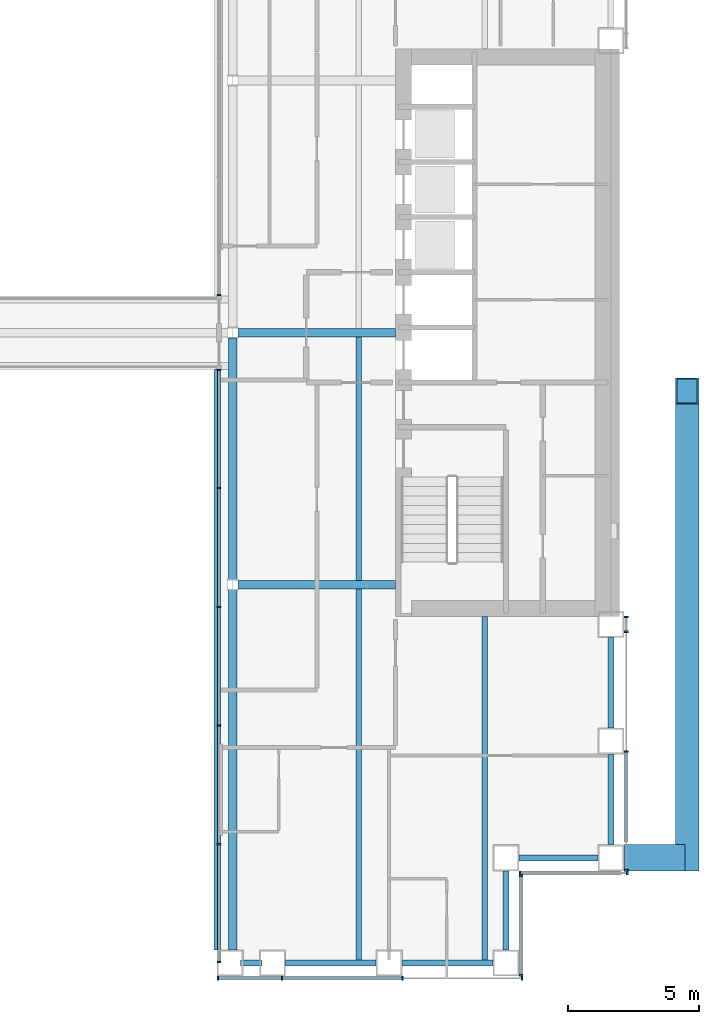
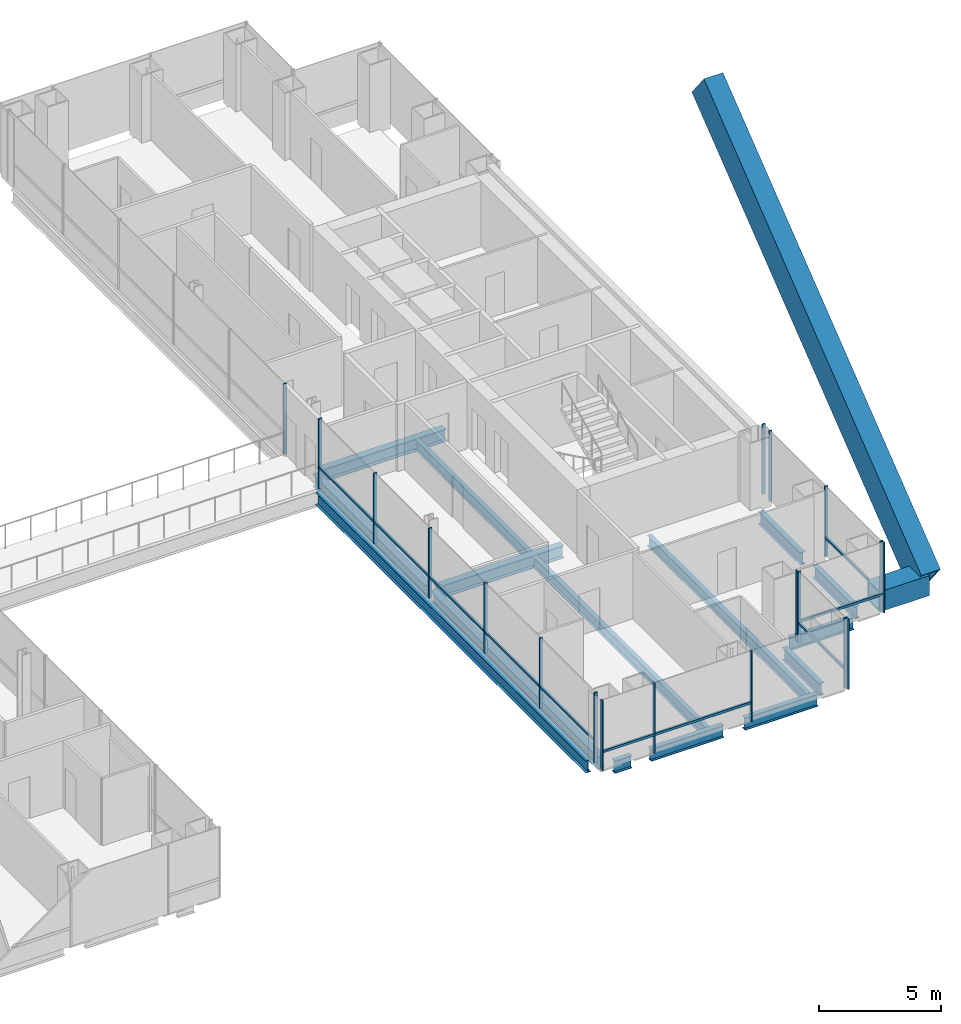
# One storey, part 4 of 19: 30 members, 16 beams, 6 elements without a shape of their own.
"""IFC4 building model written with IfcOpenShell, lengths in metres."""

from ifc_helpers import new_model, si_unit, direction, frame, origin, origin_2d, place, context, subcontext, project, spatial, rectangle, hollow_rectangle, i_section, extrude, material, material_profile, profile_set, type_object, element, aggregate, save


model = new_model("IFC4")

# Units and contexts
model_context = context("Model", 3, precision=1e-05, world=origin(), true_north=direction((0.0, 1.0)))
body_context = subcontext(model_context, "Body", "Model", "MODEL_VIEW")
ifc_project = project(units=[si_unit("LENGTHUNIT", "METRE"), si_unit("AREAUNIT", "SQUARE_METRE"), si_unit("VOLUMEUNIT", "CUBIC_METRE"), si_unit("PLANEANGLEUNIT", "RADIAN"), si_unit("MASSUNIT", "GRAM", prefix="KILO")], contexts=[model_context])

# Site, building, storey
site_placement = place(None, origin())
site = spatial("IfcSite", under=ifc_project, at=site_placement, CompositionType="ELEMENT")
building_placement = place(site_placement, origin())
building = spatial("IfcBuilding", under=site, at=building_placement, Name="Cobrizo Arcos Hotel Tower", CompositionType="ELEMENT")
storey_placement = place(building_placement, frame((0.0, 0.0, 70.5)))
storey = spatial("IfcBuildingStorey", under=building, at=storey_placement, Name="L16", CompositionType="ELEMENT", Elevation=70.5)

# Beam
ifc_material_1 = material(Name="Steel ASTM A572 Grade 50", Category="steel")
ifc_material_profile_1 = material_profile(ifc_material_1, hollow_rectangle(XDim=1.0, YDim=1.0, WallThickness=0.06005859375, at=origin_2d()), Name="BOX 1000X1000X60")
ifc_profile_set_1 = profile_set([ifc_material_profile_1], Name="Steel ASTM A572 Grade 50")
beam_type_1 = type_object("IfcBeamType", Name="BOX 1000X1000X60 brace connector strut", PredefinedType="BEAM", material=ifc_profile_set_1)
beam_1_placement = place(storey_placement, frame((24.489990234375, -20.0, 0.5), z_axis=(1.0, 0.0, 0.0), x_axis=(0.0, 1.0, 0.0)))
element("IfcBeam", 1, at=beam_1_placement, inside=storey, type_object=beam_type_1, Name="Perimeter brace stub BS1, zone Z1, east face, offset -20.00 m, L16", PredefinedType="BEAM", context=body_context, shape_type="SweptSolid", body=[
    extrude(hollow_rectangle(XDim=1.0, YDim=1.0, WallThickness=0.06005859375, at=origin_2d()), origin(), (0.0, 0.0, 1.0), 2.330078125),
])

# Member
ifc_material_profile_2 = material_profile(ifc_material_1, hollow_rectangle(XDim=0.89990234375, YDim=1.60009765625, WallThickness=0.070068359375, at=origin_2d()), Name="BOX 900X1600X70")
ifc_profile_set_2 = profile_set([ifc_material_profile_2], Name="Steel ASTM A572 Grade 50")
member_type_1 = type_object("IfcMemberType", Name="BOX 900X1600X70 perimeter brace", PredefinedType="BRACE", material=ifc_profile_set_2)
member_1_placement = place(storey_placement, frame((26.89990234375, -20.0, 0.5), z_axis=(0.0, 0.785637232407, 0.618687432437), x_axis=(-1.0, 0.0, 0.0)))
element("IfcMember", 2, at=member_1_placement, inside=storey, type_object=member_type_1, Name="Perimeter brace PBR1, zone Z1, east face, no. 05", PredefinedType="BRACE", context=body_context, shape_type="SweptSolid", body=[
    extrude(hollow_rectangle(XDim=0.89990234375, YDim=1.60009765625, WallThickness=0.070068359375, at=origin_2d()), origin(), (0.0, 0.0, 1.0), 22.628662109375),
])

# Curtain wall, members
ifc_material_2 = material(Name="Aluminium 6063-T6 anodised bronze", Category="aluminium")
curtain_wall_type_1 = type_object("IfcCurtainWallType", Name="CW-A guest facade", PredefinedType="NOTDEFINED", material=ifc_material_2)
curtain_wall_1_placement = place(storey_placement, origin())
curtain_wall_1 = element("IfcCurtainWall", 3, at=curtain_wall_1_placement, inside=storey, type_object=curtain_wall_type_1, Name="CW-A L16 S face", PredefinedType="NOTDEFINED")
ifc_material_profile_3 = material_profile(ifc_material_2, rectangle(XDim=0.14990234375, YDim=0.06005859375, at=origin_2d()), Name="CW-A mullion 150x60")
ifc_profile_set_3 = profile_set([ifc_material_profile_3], Name="Aluminium 6063-T6 anodised bronze")
member_type_2 = type_object("IfcMemberType", Name="CW-A mullion 150x60", PredefinedType="MULLION", material=ifc_profile_set_3)
member_2_placement = place(storey_placement, frame((9.030029296875, -24.574951171875, 0.0), z_axis=(0.0, 0.0, 1.0), x_axis=(0.0, -1.0, 0.0)))
member_2 = element("IfcMember", 4, at=member_2_placement, type_object=member_type_2, Name="CW-A mullion 1", PredefinedType="MULLION", context=body_context, shape_type="SweptSolid", body=[
    extrude(rectangle(XDim=0.14990234375, YDim=0.06005859375, at=origin_2d()), origin(), (0.0, 0.0, 1.0), 3.5),
])
member_3_placement = place(storey_placement, frame((11.47216796875, -24.574951171875, 0.0), z_axis=(0.0, 0.0, 1.0), x_axis=(0.0, -1.0, 0.0)))
member_3 = element("IfcMember", 5, at=member_3_placement, type_object=member_type_2, Name="CW-A mullion 2", PredefinedType="MULLION", context=body_context, shape_type="SweptSolid", body=[
    extrude(rectangle(XDim=0.14990234375, YDim=0.06005859375, at=origin_2d()), origin(), (0.0, 0.0, 1.0), 3.5),
])
member_4_placement = place(storey_placement, frame((16.06103515625, -24.574951171875, 0.0), z_axis=(0.0, 0.0, 1.0), x_axis=(0.0, -1.0, 0.0)))
member_4 = element("IfcMember", 6, at=member_4_placement, type_object=member_type_2, Name="CW-A mullion 3", PredefinedType="MULLION", context=body_context, shape_type="SweptSolid", body=[
    extrude(rectangle(XDim=0.14990234375, YDim=0.06005859375, at=origin_2d()), origin(), (0.0, 0.0, 1.0), 3.5),
])
member_5_placement = place(storey_placement, frame((20.6201171875, -24.574951171875, 0.0), z_axis=(0.0, 0.0, 1.0), x_axis=(0.0, -1.0, 0.0)))
member_5 = element("IfcMember", 7, at=member_5_placement, type_object=member_type_2, Name="CW-A mullion 4", PredefinedType="MULLION", context=body_context, shape_type="SweptSolid", body=[
    extrude(rectangle(XDim=0.14990234375, YDim=0.06005859375, at=origin_2d()), origin(), (0.0, 0.0, 1.0), 3.5),
])

curtain_wall_2_placement = place(storey_placement, origin())
curtain_wall_2 = element("IfcCurtainWall", 8, at=curtain_wall_2_placement, inside=storey, type_object=curtain_wall_type_1, Name="CW-A L16 E face", PredefinedType="NOTDEFINED")
member_6_placement = place(storey_placement, frame((20.574951171875, -24.469970703125, 0.0), z_axis=(0.0, 0.0, 1.0), x_axis=(1.0, 0.0, 0.0)))
member_6 = element("IfcMember", 9, at=member_6_placement, type_object=member_type_2, Name="CW-A mullion 1", PredefinedType="MULLION", context=body_context, shape_type="SweptSolid", body=[
    extrude(rectangle(XDim=0.14990234375, YDim=0.06005859375, at=origin_2d()), origin(), (0.0, 0.0, 1.0), 3.5),
])
member_7_placement = place(storey_placement, frame((20.574951171875, -20.679931640625, 0.0), z_axis=(0.0, 0.0, 1.0), x_axis=(1.0, 0.0, 0.0)))
member_7 = element("IfcMember", 10, at=member_7_placement, type_object=member_type_2, Name="CW-A mullion 2", PredefinedType="MULLION", context=body_context, shape_type="SweptSolid", body=[
    extrude(rectangle(XDim=0.14990234375, YDim=0.06005859375, at=origin_2d()), origin(), (0.0, 0.0, 1.0), 3.5),
])

curtain_wall_3_placement = place(storey_placement, origin())
curtain_wall_3 = element("IfcCurtainWall", 11, at=curtain_wall_3_placement, inside=storey, type_object=curtain_wall_type_1, Name="CW-A L16 S face", PredefinedType="NOTDEFINED")
member_8_placement = place(storey_placement, frame((20.530029296875, -20.574951171875, 0.0), z_axis=(0.0, 0.0, 1.0), x_axis=(0.0, -1.0, 0.0)))
member_8 = element("IfcMember", 12, at=member_8_placement, type_object=member_type_2, Name="CW-A mullion 1", PredefinedType="MULLION", context=body_context, shape_type="SweptSolid", body=[
    extrude(rectangle(XDim=0.14990234375, YDim=0.06005859375, at=origin_2d()), origin(), (0.0, 0.0, 1.0), 3.5),
])
member_9_placement = place(storey_placement, frame((24.6201171875, -20.574951171875, 0.0), z_axis=(0.0, 0.0, 1.0), x_axis=(0.0, -1.0, 0.0)))
member_9 = element("IfcMember", 13, at=member_9_placement, type_object=member_type_2, Name="CW-A mullion 2", PredefinedType="MULLION", context=body_context, shape_type="SweptSolid", body=[
    extrude(rectangle(XDim=0.14990234375, YDim=0.06005859375, at=origin_2d()), origin(), (0.0, 0.0, 1.0), 3.5),
])

curtain_wall_4_placement = place(storey_placement, origin())
curtain_wall_4 = element("IfcCurtainWall", 14, at=curtain_wall_4_placement, inside=storey, type_object=curtain_wall_type_1, Name="CW-A L16 E face", PredefinedType="NOTDEFINED")
member_10_placement = place(storey_placement, frame((24.574951171875, -20.469970703125, 0.0), z_axis=(0.0, 0.0, 1.0), x_axis=(1.0, 0.0, 0.0)))
member_10 = element("IfcMember", 15, at=member_10_placement, type_object=member_type_2, Name="CW-A mullion 1", PredefinedType="MULLION", context=body_context, shape_type="SweptSolid", body=[
    extrude(rectangle(XDim=0.14990234375, YDim=0.06005859375, at=origin_2d()), origin(), (0.0, 0.0, 1.0), 3.5),
])
member_11_placement = place(storey_placement, frame((24.574951171875, -15.9443359375, 0.0), z_axis=(0.0, 0.0, 1.0), x_axis=(1.0, 0.0, 0.0)))
member_11 = element("IfcMember", 16, at=member_11_placement, type_object=member_type_2, Name="CW-A mullion 2", PredefinedType="MULLION", context=body_context, shape_type="SweptSolid", body=[
    extrude(rectangle(XDim=0.14990234375, YDim=0.06005859375, at=origin_2d()), origin(), (0.0, 0.0, 1.0), 3.5),
])
member_12_placement = place(storey_placement, frame((24.574951171875, -11.388916015625, 0.0), z_axis=(0.0, 0.0, 1.0), x_axis=(1.0, 0.0, 0.0)))
member_12 = element("IfcMember", 17, at=member_12_placement, type_object=member_type_2, Name="CW-A mullion 3", PredefinedType="MULLION", context=body_context, shape_type="SweptSolid", body=[
    extrude(rectangle(XDim=0.14990234375, YDim=0.06005859375, at=origin_2d()), origin(), (0.0, 0.0, 1.0), 3.5),
])
member_13_placement = place(storey_placement, frame((24.574951171875, -10.830078125, 0.0), z_axis=(0.0, 0.0, 1.0), x_axis=(1.0, 0.0, 0.0)))
member_13 = element("IfcMember", 18, at=member_13_placement, type_object=member_type_2, Name="CW-A mullion 4", PredefinedType="MULLION", context=body_context, shape_type="SweptSolid", body=[
    extrude(rectangle(XDim=0.14990234375, YDim=0.06005859375, at=origin_2d()), origin(), (0.0, 0.0, 1.0), 3.5),
])

# Member
ifc_material_profile_4 = material_profile(ifc_material_2, rectangle(XDim=0.10009765625, YDim=0.1201171875, at=origin_2d()), Name="CW-A transom 120x100")
ifc_profile_set_4 = profile_set([ifc_material_profile_4], Name="Aluminium 6063-T6 anodised bronze")
member_type_3 = type_object("IfcMemberType", Name="CW-A transom 120x100", PredefinedType="USERDEFINED", material=ifc_profile_set_4)
member_14_placement = place(storey_placement, frame((9.06005859375, -24.574951171875, 0.929931640625), z_axis=(1.0, 0.0, 0.0), x_axis=(0.0, 1.0, 0.0)))
member_14 = element("IfcMember", 19, at=member_14_placement, type_object=member_type_3, Name="CW-A transom 688", ObjectType="TRANSOM", PredefinedType="USERDEFINED", context=body_context, shape_type="SweptSolid", body=[
    extrude(rectangle(XDim=0.10009765625, YDim=0.1201171875, at=origin_2d()), origin(), (0.0, 0.0, 1.0), 2.382080078125),
])

member_15_placement = place(storey_placement, frame((11.502197265625, -24.574951171875, 0.929931640625), z_axis=(1.0, 0.0, 0.0), x_axis=(0.0, 1.0, 0.0)))
member_15 = element("IfcMember", 20, at=member_15_placement, type_object=member_type_3, Name="CW-A transom 689", ObjectType="TRANSOM", PredefinedType="USERDEFINED", context=body_context, shape_type="SweptSolid", body=[
    extrude(rectangle(XDim=0.10009765625, YDim=0.1201171875, at=origin_2d()), origin(), (0.0, 0.0, 1.0), 4.52880859375),
])

aggregate(curtain_wall_1, [member_2, member_3, member_4, member_5, member_14, member_15])

member_16_placement = place(storey_placement, frame((20.574951171875, -24.43994140625, 0.929931640625), z_axis=(0.0, 1.0, 0.0), x_axis=(-1.0, 0.0, 0.0)))
member_16 = element("IfcMember", 21, at=member_16_placement, type_object=member_type_3, Name="CW-A transom 691", ObjectType="TRANSOM", PredefinedType="USERDEFINED", context=body_context, shape_type="SweptSolid", body=[
    extrude(rectangle(XDim=0.10009765625, YDim=0.1201171875, at=origin_2d()), origin(), (0.0, 0.0, 1.0), 3.72998046875),
])

aggregate(curtain_wall_2, [member_6, member_7, member_16])

member_17_placement = place(storey_placement, frame((20.56005859375, -20.574951171875, 0.929931640625), z_axis=(1.0, 0.0, 0.0), x_axis=(0.0, 1.0, 0.0)))
member_17 = element("IfcMember", 22, at=member_17_placement, type_object=member_type_3, Name="CW-A transom 692", ObjectType="TRANSOM", PredefinedType="USERDEFINED", context=body_context, shape_type="SweptSolid", body=[
    extrude(rectangle(XDim=0.10009765625, YDim=0.1201171875, at=origin_2d()), origin(), (0.0, 0.0, 1.0), 3.829833984375),
])

aggregate(curtain_wall_3, [member_8, member_9, member_17])

member_18_placement = place(storey_placement, frame((24.574951171875, -19.39990234375, 0.929931640625), z_axis=(0.0, 1.0, 0.0), x_axis=(-1.0, 0.0, 0.0)))
member_18 = element("IfcMember", 23, at=member_18_placement, type_object=member_type_3, Name="CW-A transom 693", ObjectType="TRANSOM", PredefinedType="USERDEFINED", context=body_context, shape_type="SweptSolid", body=[
    extrude(rectangle(XDim=0.10009765625, YDim=0.1201171875, at=origin_2d()), origin(), (0.0, 0.0, 1.0), 3.425537109375),
])

aggregate(curtain_wall_4, [member_10, member_11, member_12, member_13, member_18])

# Curtain wall, members
curtain_wall_type_2 = type_object("IfcCurtainWallType", Name="CW-F void screen", PredefinedType="NOTDEFINED", material=ifc_material_2)
curtain_wall_5_placement = place(storey_placement, origin())
curtain_wall_5 = element("IfcCurtainWall", 24, at=curtain_wall_5_placement, inside=storey, type_object=curtain_wall_type_2, Name="CW-F L16 void screen A", PredefinedType="NOTDEFINED")
ifc_material_profile_5 = material_profile(ifc_material_2, rectangle(XDim=0.14990234375, YDim=0.06005859375, at=origin_2d()), Name="CW-F mullion 150x60")
ifc_profile_set_5 = profile_set([ifc_material_profile_5], Name="Aluminium 6063-T6 anodised bronze")
member_type_4 = type_object("IfcMemberType", Name="CW-F mullion 150x60", PredefinedType="MULLION", material=ifc_profile_set_5)
member_19_placement = place(storey_placement, frame((9.074951171875, -23.969970703125, 0.0), z_axis=(0.0, 0.0, 1.0), x_axis=(1.0, 0.0, 0.0)))
member_19 = element("IfcMember", 25, at=member_19_placement, type_object=member_type_4, Name="CW-F mullion 1", PredefinedType="MULLION", context=body_context, shape_type="SweptSolid", body=[
    extrude(rectangle(XDim=0.14990234375, YDim=0.06005859375, at=origin_2d()), origin(), (0.0, 0.0, 1.0), 3.5),
])
member_20_placement = place(storey_placement, frame((9.074951171875, -19.47998046875, 0.0), z_axis=(0.0, 0.0, 1.0), x_axis=(1.0, 0.0, 0.0)))
member_20 = element("IfcMember", 26, at=member_20_placement, type_object=member_type_4, Name="CW-F mullion 2", PredefinedType="MULLION", context=body_context, shape_type="SweptSolid", body=[
    extrude(rectangle(XDim=0.14990234375, YDim=0.06005859375, at=origin_2d()), origin(), (0.0, 0.0, 1.0), 3.5),
])
member_21_placement = place(storey_placement, frame((9.074951171875, -14.9599609375, 0.0), z_axis=(0.0, 0.0, 1.0), x_axis=(1.0, 0.0, 0.0)))
member_21 = element("IfcMember", 27, at=member_21_placement, type_object=member_type_4, Name="CW-F mullion 3", PredefinedType="MULLION", context=body_context, shape_type="SweptSolid", body=[
    extrude(rectangle(XDim=0.14990234375, YDim=0.06005859375, at=origin_2d()), origin(), (0.0, 0.0, 1.0), 3.5),
])
member_22_placement = place(storey_placement, frame((9.074951171875, -10.43994140625, 0.0), z_axis=(0.0, 0.0, 1.0), x_axis=(1.0, 0.0, 0.0)))
member_22 = element("IfcMember", 28, at=member_22_placement, type_object=member_type_4, Name="CW-F mullion 4", PredefinedType="MULLION", context=body_context, shape_type="SweptSolid", body=[
    extrude(rectangle(XDim=0.14990234375, YDim=0.06005859375, at=origin_2d()), origin(), (0.0, 0.0, 1.0), 3.5),
])
member_23_placement = place(storey_placement, frame((9.074951171875, -5.919921875, 0.0), z_axis=(0.0, 0.0, 1.0), x_axis=(1.0, 0.0, 0.0)))
member_23 = element("IfcMember", 29, at=member_23_placement, type_object=member_type_4, Name="CW-F mullion 5", PredefinedType="MULLION", context=body_context, shape_type="SweptSolid", body=[
    extrude(rectangle(XDim=0.14990234375, YDim=0.06005859375, at=origin_2d()), origin(), (0.0, 0.0, 1.0), 3.5),
])
member_24_placement = place(storey_placement, frame((9.074951171875, -1.429931640625, 0.0), z_axis=(0.0, 0.0, 1.0), x_axis=(1.0, 0.0, 0.0)))
member_24 = element("IfcMember", 30, at=member_24_placement, type_object=member_type_4, Name="CW-F mullion 6", PredefinedType="MULLION", context=body_context, shape_type="SweptSolid", body=[
    extrude(rectangle(XDim=0.14990234375, YDim=0.06005859375, at=origin_2d()), origin(), (0.0, 0.0, 1.0), 3.5),
])

# Curtain wall, member
curtain_wall_6_placement = place(storey_placement, origin())
curtain_wall_6 = element("IfcCurtainWall", 31, at=curtain_wall_6_placement, inside=storey, type_object=curtain_wall_type_2, Name="CW-F L16 void screen A", PredefinedType="NOTDEFINED")
member_25_placement = place(storey_placement, frame((9.074951171875, 1.429931640625, 0.0), z_axis=(0.0, 0.0, 1.0), x_axis=(1.0, 0.0, 0.0)))
member_25 = element("IfcMember", 32, at=member_25_placement, type_object=member_type_4, Name="CW-F mullion 1", PredefinedType="MULLION", context=body_context, shape_type="SweptSolid", body=[
    extrude(rectangle(XDim=0.14990234375, YDim=0.06005859375, at=origin_2d()), origin(), (0.0, 0.0, 1.0), 3.5),
])
aggregate(curtain_wall_6, [member_25])

# Member
ifc_material_profile_6 = material_profile(ifc_material_2, rectangle(XDim=0.10009765625, YDim=0.1201171875, at=origin_2d()), Name="CW-F transom 120x100")
ifc_profile_set_6 = profile_set([ifc_material_profile_6], Name="Aluminium 6063-T6 anodised bronze")
member_type_5 = type_object("IfcMemberType", Name="CW-F transom 120x100", PredefinedType="USERDEFINED", material=ifc_profile_set_6)
member_26_placement = place(storey_placement, frame((9.074951171875, -23.93994140625, 1.050048828125), z_axis=(0.0, 1.0, 0.0), x_axis=(-1.0, 0.0, 0.0)))
member_26 = element("IfcMember", 33, at=member_26_placement, type_object=member_type_5, Name="CW-F transom 2488", ObjectType="TRANSOM", PredefinedType="USERDEFINED", context=body_context, shape_type="SweptSolid", body=[
    extrude(rectangle(XDim=0.10009765625, YDim=0.1201171875, at=origin_2d()), origin(), (0.0, 0.0, 1.0), 4.429931640625),
])

member_27_placement = place(storey_placement, frame((9.074951171875, -19.449951171875, 1.050048828125), z_axis=(0.0, 1.0, 0.0), x_axis=(-1.0, 0.0, 0.0)))
member_27 = element("IfcMember", 34, at=member_27_placement, type_object=member_type_5, Name="CW-F transom 2489", ObjectType="TRANSOM", PredefinedType="USERDEFINED", context=body_context, shape_type="SweptSolid", body=[
    extrude(rectangle(XDim=0.10009765625, YDim=0.1201171875, at=origin_2d()), origin(), (0.0, 0.0, 1.0), 4.4599609375),
])

member_28_placement = place(storey_placement, frame((9.074951171875, -14.929931640625, 1.050048828125), z_axis=(0.0, 1.0, 0.0), x_axis=(-1.0, 0.0, 0.0)))
member_28 = element("IfcMember", 35, at=member_28_placement, type_object=member_type_5, Name="CW-F transom 2490", ObjectType="TRANSOM", PredefinedType="USERDEFINED", context=body_context, shape_type="SweptSolid", body=[
    extrude(rectangle(XDim=0.10009765625, YDim=0.1201171875, at=origin_2d()), origin(), (0.0, 0.0, 1.0), 4.4599609375),
])

member_29_placement = place(storey_placement, frame((9.074951171875, -10.409912109375, 1.050048828125), z_axis=(0.0, 1.0, 0.0), x_axis=(-1.0, 0.0, 0.0)))
member_29 = element("IfcMember", 36, at=member_29_placement, type_object=member_type_5, Name="CW-F transom 2491", ObjectType="TRANSOM", PredefinedType="USERDEFINED", context=body_context, shape_type="SweptSolid", body=[
    extrude(rectangle(XDim=0.10009765625, YDim=0.1201171875, at=origin_2d()), origin(), (0.0, 0.0, 1.0), 4.4599609375),
])

member_30_placement = place(storey_placement, frame((9.074951171875, -5.889892578125, 1.050048828125), z_axis=(0.0, 1.0, 0.0), x_axis=(-1.0, 0.0, 0.0)))
member_30 = element("IfcMember", 37, at=member_30_placement, type_object=member_type_5, Name="CW-F transom 2492", ObjectType="TRANSOM", PredefinedType="USERDEFINED", context=body_context, shape_type="SweptSolid", body=[
    extrude(rectangle(XDim=0.10009765625, YDim=0.1201171875, at=origin_2d()), origin(), (0.0, 0.0, 1.0), 4.429931640625),
])

aggregate(curtain_wall_5, [member_19, member_20, member_21, member_22, member_23, member_24, member_26, member_27, member_28, member_29, member_30])

# Beams
ifc_material_3 = material(Name="Steel ASTM A992 Grade 50", Category="steel")
ifc_material_profile_7 = material_profile(ifc_material_3, i_section(OverallWidth=0.209228515625, OverallDepth=0.533447265625, WebThickness=0.01025390625, FlangeThickness=0.015625, at=origin_2d()), Name="W21X62")
ifc_profile_set_7 = profile_set([ifc_material_profile_7], Name="Steel ASTM A992 Grade 50")
beam_type_2 = type_object("IfcBeamType", Name="W21X62 joist", PredefinedType="JOIST", material=ifc_profile_set_7)
beam_2_placement = place(storey_placement, frame((14.39990234375, -23.909912109375, -0.416748046875), z_axis=(0.0, 1.0, 0.0), x_axis=(-1.0, 0.0, 0.0)))
element("IfcBeam", 38, at=beam_2_placement, inside=storey, type_object=beam_type_2, Name="Floor joist J1, L16, no. 007", PredefinedType="JOIST", context=body_context, shape_type="SweptSolid", body=[
    extrude(i_section(OverallWidth=0.209228515625, OverallDepth=0.533447265625, WebThickness=0.01025390625, FlangeThickness=0.015625, at=origin_2d()), origin(), (0.0, 0.0, 1.0), 14.14599609375),
])
beam_3_placement = place(storey_placement, frame((14.39990234375, -9.43603515625, -0.416748046875), z_axis=(0.0, 1.0, 0.0), x_axis=(-1.0, 0.0, 0.0)))
element("IfcBeam", 39, at=beam_3_placement, inside=storey, type_object=beam_type_2, Name="Floor joist J1, L16, no. 008", PredefinedType="JOIST", context=body_context, shape_type="SweptSolid", body=[
    extrude(i_section(OverallWidth=0.209228515625, OverallDepth=0.533447265625, WebThickness=0.01025390625, FlangeThickness=0.015625, at=origin_2d()), origin(), (0.0, 0.0, 1.0), 9.272216796875),
])
beam_4_placement = place(storey_placement, frame((19.199951171875, -23.909912109375, -0.416748046875), z_axis=(0.0, 1.0, 0.0), x_axis=(-1.0, 0.0, 0.0)))
element("IfcBeam", 40, at=beam_4_placement, inside=storey, type_object=beam_type_2, Name="Floor joist J1, L16, no. 011", PredefinedType="JOIST", context=body_context, shape_type="SweptSolid", body=[
    extrude(i_section(OverallWidth=0.209228515625, OverallDepth=0.533447265625, WebThickness=0.01025390625, FlangeThickness=0.015625, at=origin_2d()), origin(), (0.0, 0.0, 1.0), 13.099853515625),
])
ifc_material_profile_8 = material_profile(ifc_material_3, i_section(OverallWidth=0.32763671875, OverallDepth=0.622314453125, WebThickness=0.015380859375, FlangeThickness=0.0244140625, at=origin_2d()), Name="W24X131")
ifc_profile_set_8 = profile_set([ifc_material_profile_8], Name="Steel ASTM A992 Grade 50")
beam_type_3 = type_object("IfcBeamType", Name="W24X131 girder", PredefinedType="BEAM", material=ifc_profile_set_8)
for number, where, z_axis, x_axis, name in (
    (41, (9.804443359375, -9.60009765625, -0.461181640625), (1.0, 0.0, 0.0), (0.0, 1.0, 0.0), "Floor girder G1, L16, no. 002"),
    (42, (9.804443359375, 0.0, -0.461181640625), (1.0, 0.0, 0.0), (0.0, 1.0, 0.0), "Floor girder G1, L16, no. 005"),
):
    element("IfcBeam", number, at=place(storey_placement, frame(where, z_axis=z_axis, x_axis=x_axis)), inside=storey, type_object=beam_type_3, Name=name, PredefinedType="BEAM", context=body_context, shape_type="SweptSolid", body=[
        extrude(i_section(OverallWidth=0.32763671875, OverallDepth=0.622314453125, WebThickness=0.015380859375, FlangeThickness=0.0244140625, at=origin_2d()), origin(), (0.0, 0.0, 1.0), 5.985595703125),
    ])
beam_5_placement = place(storey_placement, frame((9.60009765625, -23.5, -0.461181640625), z_axis=(0.0, 1.0, 0.0), x_axis=(-1.0, 0.0, 0.0)))
element("IfcBeam", 43, at=beam_5_placement, inside=storey, type_object=beam_type_3, Name="Floor girder G1, L16, no. 012", PredefinedType="BEAM", context=body_context, shape_type="SweptSolid", body=[
    extrude(i_section(OverallWidth=0.32763671875, OverallDepth=0.622314453125, WebThickness=0.015380859375, FlangeThickness=0.0244140625, at=origin_2d()), origin(), (0.0, 0.0, 1.0), 13.695556640625),
])
beam_6_placement = place(storey_placement, frame((9.60009765625, -9.3955078125, -0.461181640625), z_axis=(0.0, 1.0, 0.0), x_axis=(-1.0, 0.0, 0.0)))
element("IfcBeam", 44, at=beam_6_placement, inside=storey, type_object=beam_type_3, Name="Floor girder G1, L16, no. 013", PredefinedType="BEAM", context=body_context, shape_type="SweptSolid", body=[
    extrude(i_section(OverallWidth=0.32763671875, OverallDepth=0.622314453125, WebThickness=0.015380859375, FlangeThickness=0.0244140625, at=origin_2d()), origin(), (0.0, 0.0, 1.0), 9.191162109375),
])
ifc_material_profile_9 = material_profile(ifc_material_3, i_section(OverallWidth=0.23046875, OverallDepth=0.6171875, WebThickness=0.01318359375, FlangeThickness=0.022216796875, at=origin_2d()), Name="W24X94")
ifc_profile_set_9 = profile_set([ifc_material_profile_9], Name="Steel ASTM A992 Grade 50")
beam_type_4 = type_object("IfcBeamType", Name="W24X94 spandrel", PredefinedType="SPANDREL", material=ifc_profile_set_9)
beam_7_placement = place(storey_placement, frame((24.0, -11.611083984375, -0.45849609375), z_axis=(0.0, -1.0, 0.0), x_axis=(1.0, 0.0, 0.0)))
element("IfcBeam", 45, at=beam_7_placement, inside=storey, type_object=beam_type_4, Name="Spandrel beam W24X94, L16, no. 004", PredefinedType="SPANDREL", context=body_context, shape_type="SweptSolid", body=[
    extrude(i_section(OverallWidth=0.23046875, OverallDepth=0.6171875, WebThickness=0.01318359375, FlangeThickness=0.022216796875, at=origin_2d()), origin(), (0.0, 0.0, 1.0), 3.44482421875),
])
beam_8_placement = place(storey_placement, frame((24.0, -16.055908203125, -0.45849609375), z_axis=(0.0, -1.0, 0.0), x_axis=(1.0, 0.0, 0.0)))
element("IfcBeam", 46, at=beam_8_placement, inside=storey, type_object=beam_type_4, Name="Spandrel beam W24X94, L16, no. 005", PredefinedType="SPANDREL", context=body_context, shape_type="SweptSolid", body=[
    extrude(i_section(OverallWidth=0.23046875, OverallDepth=0.6171875, WebThickness=0.01318359375, FlangeThickness=0.022216796875, at=origin_2d()), origin(), (0.0, 0.0, 1.0), 3.444091796875),
])
for number, where, z_axis, x_axis, name in (
    (47, (23.5, -20.0, -0.45849609375), (-1.0, 0.0, 0.0), (0.0, -1.0, 0.0), "Spandrel beam W24X94, L16, no. 006"),
    (48, (20.0, -20.5, -0.45849609375), (0.0, -1.0, 0.0), (1.0, 0.0, 0.0), "Spandrel beam W24X94, L16, no. 007"),
):
    element("IfcBeam", number, at=place(storey_placement, frame(where, z_axis=z_axis, x_axis=x_axis)), inside=storey, type_object=beam_type_4, Name=name, PredefinedType="SPANDREL", context=body_context, shape_type="SweptSolid", body=[
        extrude(i_section(OverallWidth=0.23046875, OverallDepth=0.6171875, WebThickness=0.01318359375, FlangeThickness=0.022216796875, at=origin_2d()), origin(), (0.0, 0.0, 1.0), 3.0),
    ])
beam_9_placement = place(storey_placement, frame((19.5, -24.0, -0.45849609375), z_axis=(-1.0, 0.0, 0.0), x_axis=(0.0, -1.0, 0.0)))
element("IfcBeam", 49, at=beam_9_placement, inside=storey, type_object=beam_type_4, Name="Spandrel beam W24X94, L16, no. 008", PredefinedType="SPANDREL", context=body_context, shape_type="SweptSolid", body=[
    extrude(i_section(OverallWidth=0.23046875, OverallDepth=0.6171875, WebThickness=0.01318359375, FlangeThickness=0.022216796875, at=origin_2d()), origin(), (0.0, 0.0, 1.0), 3.444091796875),
])
beam_10_placement = place(storey_placement, frame((15.055908203125, -24.0, -0.45849609375), z_axis=(-1.0, 0.0, 0.0), x_axis=(0.0, -1.0, 0.0)))
element("IfcBeam", 50, at=beam_10_placement, inside=storey, type_object=beam_type_4, Name="Spandrel beam W24X94, L16, no. 009", PredefinedType="SPANDREL", context=body_context, shape_type="SweptSolid", body=[
    extrude(i_section(OverallWidth=0.23046875, OverallDepth=0.6171875, WebThickness=0.01318359375, FlangeThickness=0.022216796875, at=origin_2d()), origin(), (0.0, 0.0, 1.0), 3.44482421875),
])
beam_11_placement = place(storey_placement, frame((10.7109375, -24.0, -0.45849609375), z_axis=(-1.0, 0.0, 0.0), x_axis=(0.0, -1.0, 0.0)))
element("IfcBeam", 51, at=beam_11_placement, inside=storey, type_object=beam_type_4, Name="Spandrel beam W24X94, L16, no. 010", PredefinedType="SPANDREL", context=body_context, shape_type="SweptSolid", body=[
    extrude(i_section(OverallWidth=0.23046875, OverallDepth=0.6171875, WebThickness=0.01318359375, FlangeThickness=0.022216796875, at=origin_2d()), origin(), (0.0, 0.0, 1.0), 0.81103515625),
])
beam_12_placement = place(storey_placement, frame((9.0, -23.5, -0.45849609375), z_axis=(0.0, 1.0, 0.0), x_axis=(-1.0, 0.0, 0.0)))
element("IfcBeam", 52, at=beam_12_placement, inside=storey, type_object=beam_type_4, Name="Spandrel beam W24X94, L16, no. 011", PredefinedType="SPANDREL", context=body_context, shape_type="SweptSolid", body=[
    extrude(i_section(OverallWidth=0.23046875, OverallDepth=0.6171875, WebThickness=0.01318359375, FlangeThickness=0.022216796875, at=origin_2d()), origin(), (0.0, 0.0, 1.0), 22.10009765625),
])

save(model, "model.ifc")
